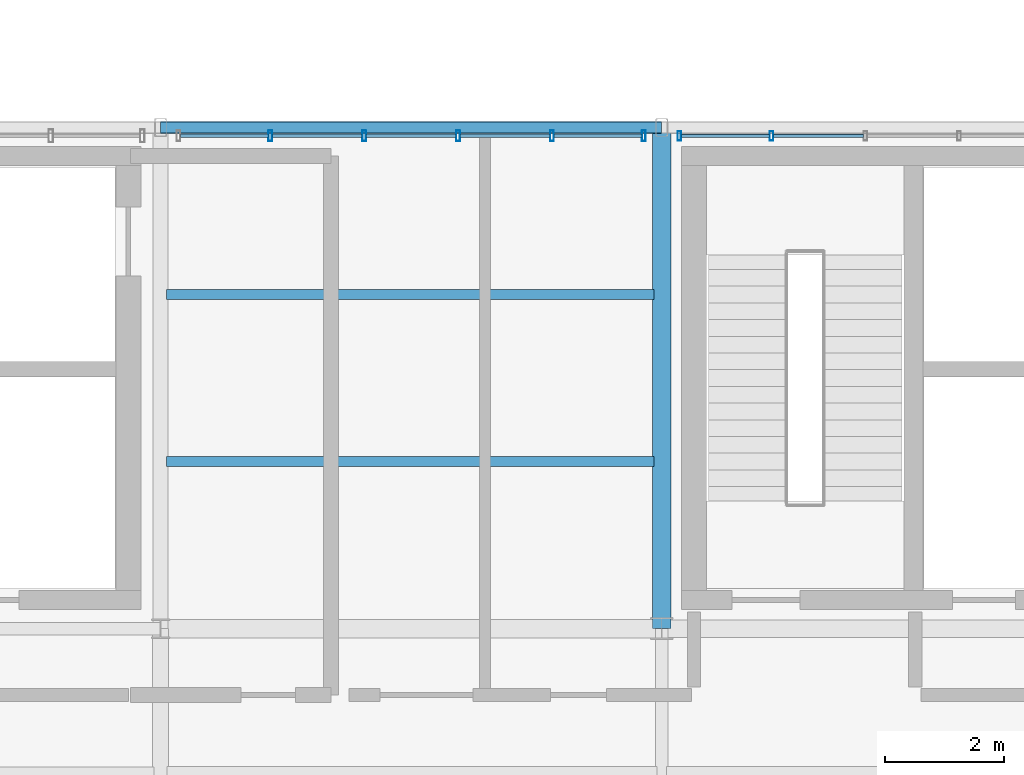
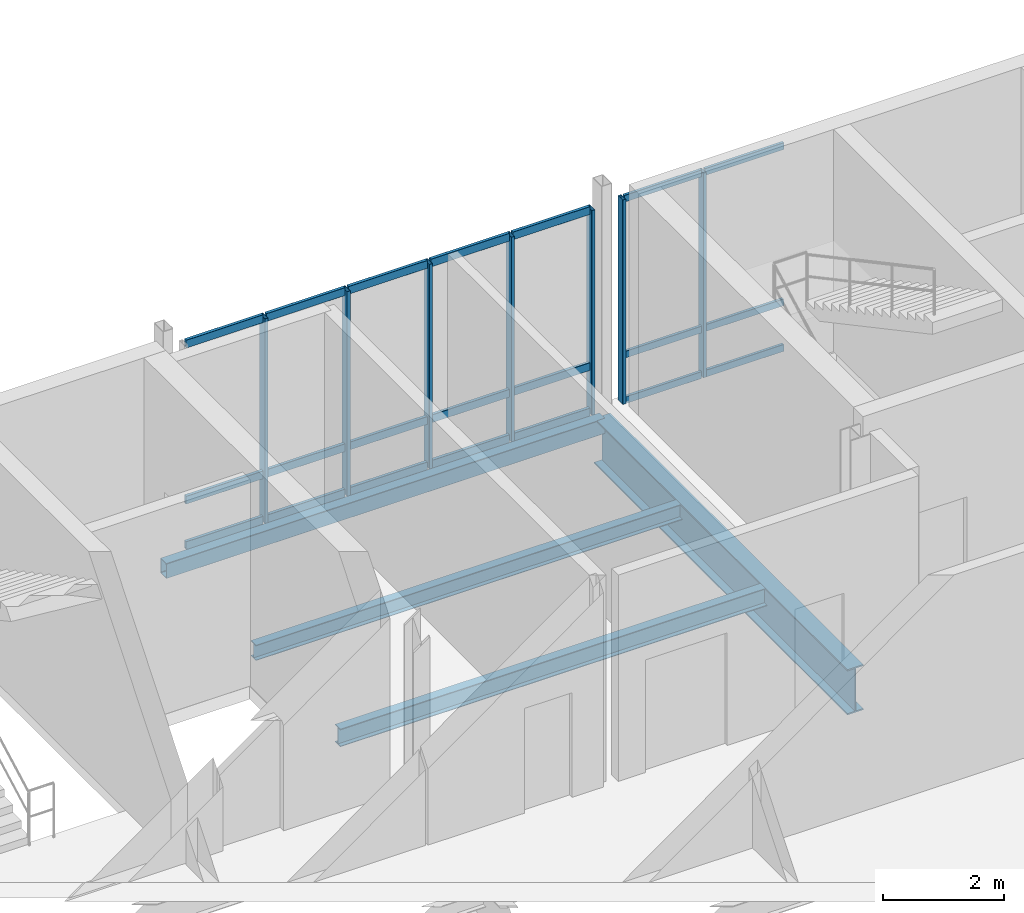
# One storey, part 14 of 68: 28 members, 4 beams, 2 elements without a shape of their own.
"""IFC4 building model written with IfcOpenShell, lengths in metres."""

from ifc_helpers import new_model, si_unit, direction, frame, origin_with_axes, origin_2d_with_axis, place, context, subcontext, project, spatial, hollow_rectangle, i_section, extrude, material, material_profile, profile_set, type_object, element, aggregate, save


model = new_model("IFC4")

# Units and contexts
model_context = context("Model", 3, precision=1e-05, world=origin_with_axes(), true_north=direction((0.0, 1.0)))
body_context = subcontext(model_context, "Body", "Model", "MODEL_VIEW")
ifc_project = project(units=[si_unit("LENGTHUNIT", "METRE"), si_unit("AREAUNIT", "SQUARE_METRE"), si_unit("VOLUMEUNIT", "CUBIC_METRE"), si_unit("PLANEANGLEUNIT", "RADIAN"), si_unit("MASSUNIT", "GRAM", prefix="KILO"), si_unit("THERMODYNAMICTEMPERATUREUNIT", "KELVIN")], contexts=[model_context])

# Site, building, storey
site_placement = place(None, origin_with_axes())
site = spatial("IfcSite", under=ifc_project, at=site_placement, CompositionType="ELEMENT")
building_placement = place(site_placement, origin_with_axes())
building = spatial("IfcBuilding", under=site, at=building_placement, Name="Montbau Bow Law Courts", CompositionType="ELEMENT")
storey_placement = place(building_placement, frame((0.0, 0.0, 20.4), z_axis=(0.0, 0.0, 1.0), x_axis=(1.0, 0.0, 0.0)))
storey = spatial("IfcBuildingStorey", under=building, at=storey_placement, Name="L04", CompositionType="ELEMENT", Elevation=20.4)

# Beams
ifc_material_1 = material(Name="Steel CSA G40.21 Grade 350W (350 MPa)", Category="steel")
ifc_material_profile_1 = material_profile(ifc_material_1, i_section(OverallWidth=0.306, OverallDepth=0.919, WebThickness=0.0173, FlangeThickness=0.0279, at=origin_2d_with_axis()), Name="W920X253", Category="Main", Priority=0)
ifc_profile_set_1 = profile_set([ifc_material_profile_1], Name="Steel CSA G40.21 Grade 350W (350 MPa)")
beam_type_1 = type_object("IfcBeamType", Name="B-FLR-01", PredefinedType="BEAM", material=ifc_profile_set_1)
beam_1_placement = place(None, frame((30.6, 46.2, 19.681), z_axis=(0.0, 1.0, 0.0), x_axis=(-1.0, 0.0, 0.0)))
element("IfcBeam", 1, at=beam_1_placement, inside=storey, type_object=beam_type_1, Name="BM-L04-S0646:bm2_0649", PredefinedType="BEAM", context=body_context, shape_type="SweptSolid", body=[
    extrude(i_section(OverallWidth=0.306, OverallDepth=0.919, WebThickness=0.0173, FlangeThickness=0.0279, at=origin_2d_with_axis()), origin_with_axes(), (0.0, 0.0, 1.0), 8.4),
])
ifc_material_profile_2 = material_profile(ifc_material_1, i_section(OverallWidth=0.172, OverallDepth=0.358, WebThickness=0.0079, FlangeThickness=0.0131, at=origin_2d_with_axis()), Name="W360X57", Category="Main", Priority=0)
ifc_profile_set_2 = profile_set([ifc_material_profile_2], Name="Steel CSA G40.21 Grade 350W (350 MPa)")
beam_type_2 = type_object("IfcBeamType", Name="B-JST-03", PredefinedType="JOIST", material=ifc_profile_set_2)
beam_2_placement = place(None, frame((22.303, 49.0, 19.961), z_axis=(1.0, 0.0, 0.0), x_axis=(0.0, 1.0, 0.0)))
element("IfcBeam", 2, at=beam_2_placement, inside=storey, type_object=beam_type_2, Name="JST-L04-S0310:jst2_0310", PredefinedType="JOIST", context=body_context, shape_type="SweptSolid", body=[
    extrude(i_section(OverallWidth=0.172, OverallDepth=0.358, WebThickness=0.0079, FlangeThickness=0.0131, at=origin_2d_with_axis()), origin_with_axes(), (0.0, 0.0, 1.0), 8.168),
])
ifc_material_profile_3 = material_profile(ifc_material_1, i_section(OverallWidth=0.166, OverallDepth=0.313, WebThickness=0.0066, FlangeThickness=0.0112, at=origin_2d_with_axis()), Name="W310X45", Category="Main", Priority=0)
ifc_profile_set_3 = profile_set([ifc_material_profile_3], Name="Steel CSA G40.21 Grade 350W (350 MPa)")
beam_type_3 = type_object("IfcBeamType", Name="B-JST-04", PredefinedType="JOIST", material=ifc_profile_set_3)
beam_3_placement = place(None, frame((22.303, 51.8, 19.983), z_axis=(1.0, 0.0, 0.0), x_axis=(0.0, 1.0, 0.0)))
element("IfcBeam", 3, at=beam_3_placement, inside=storey, type_object=beam_type_3, Name="JST-L04-S0311:jst2_0311", PredefinedType="JOIST", context=body_context, shape_type="SweptSolid", body=[
    extrude(i_section(OverallWidth=0.166, OverallDepth=0.313, WebThickness=0.0066, FlangeThickness=0.0112, at=origin_2d_with_axis()), origin_with_axes(), (0.0, 0.0, 1.0), 8.168),
])
ifc_material_2 = material(Name="Steel CSA G40.21 Grade 350WT (350 MPa)", Category="steel")
ifc_material_profile_4 = material_profile(ifc_material_2, hollow_rectangle(XDim=0.203, YDim=0.305, WallThickness=0.0127, InnerFilletRadius=0.0254, OuterFilletRadius=0.0127, at=origin_2d_with_axis()), Name="HSS305X203X13", Category="Main", Priority=0)
ifc_profile_set_4 = profile_set([ifc_material_profile_4], Name="Steel CSA G40.21 Grade 350WT (350 MPa)")
beam_type_4 = type_object("IfcBeamType", Name="B-SPN-02", PredefinedType="SPANDREL", material=ifc_profile_set_4)
beam_4_placement = place(None, frame((22.2, 54.6, 19.988), z_axis=(1.0, 0.0, 0.0), x_axis=(0.0, 1.0, 0.0)))
element("IfcBeam", 4, at=beam_4_placement, inside=storey, type_object=beam_type_4, Name="SPN-L04-S0634:bm2_0637", PredefinedType="SPANDREL", context=body_context, shape_type="SweptSolid", body=[
    extrude(hollow_rectangle(XDim=0.203, YDim=0.305, WallThickness=0.0127, InnerFilletRadius=0.0254, OuterFilletRadius=0.0127, at=origin_2d_with_axis()), origin_with_axes(), (0.0, 0.0, 1.0), 8.4),
])

# Curtain wall, members
ifc_material_3 = material(Name="Thermally Broken Extruded Aluminium AA 6063-T6", Category="aluminium")
curtain_wall_type = type_object("IfcCurtainWallType", Name="CW-NCK-01", PredefinedType="NOTDEFINED", material=ifc_material_3)
curtain_wall_1_placement = place(None, frame((22.467, 54.46, 20.4), z_axis=(0.0, 0.0, 1.0), x_axis=(1.0, 0.0, 0.0)))
curtain_wall_1 = element("IfcCurtainWall", 5, at=curtain_wall_1_placement, inside=storey, type_object=curtain_wall_type, Name="CW-L04-070:cw_0070", PredefinedType="NOTDEFINED")
ifc_material_profile_5 = material_profile(ifc_material_3, hollow_rectangle(XDim=0.065, YDim=0.18, WallThickness=0.005, InnerFilletRadius=0.01, OuterFilletRadius=0.005, at=origin_2d_with_axis()), Name="CWM-180X65", Category="Main", Priority=0)
ifc_profile_set_5 = profile_set([ifc_material_profile_5], Name="Thermally Broken Extruded Aluminium AA 6063-T6")
member_type_1 = type_object("IfcMemberType", Name="M-MUL-02", PredefinedType="MULLION", material=ifc_profile_set_5)
member_1_placement = place(None, frame((24.04, 54.46, 20.4), z_axis=(0.0, 0.0, 1.0), x_axis=(1.0, 0.0, 0.0)))
member_1 = element("IfcMember", 6, at=member_1_placement, type_object=member_type_1, Name="CW-L04-070-M02:cw_0070_M02", PredefinedType="MULLION", context=body_context, shape_type="SweptSolid", body=[
    extrude(hollow_rectangle(XDim=0.065, YDim=0.18, WallThickness=0.005, InnerFilletRadius=0.01, OuterFilletRadius=0.005, at=origin_2d_with_axis()), origin_with_axes(), (0.0, 0.0, 1.0), 4.14),
])
member_2_placement = place(None, frame((25.613, 54.46, 20.4), z_axis=(0.0, 0.0, 1.0), x_axis=(1.0, 0.0, 0.0)))
member_2 = element("IfcMember", 7, at=member_2_placement, type_object=member_type_1, Name="CW-L04-070-M03:cw_0070_M03", PredefinedType="MULLION", context=body_context, shape_type="SweptSolid", body=[
    extrude(hollow_rectangle(XDim=0.065, YDim=0.18, WallThickness=0.005, InnerFilletRadius=0.01, OuterFilletRadius=0.005, at=origin_2d_with_axis()), origin_with_axes(), (0.0, 0.0, 1.0), 4.14),
])
member_3_placement = place(None, frame((27.187, 54.46, 20.4), z_axis=(0.0, 0.0, 1.0), x_axis=(1.0, 0.0, 0.0)))
member_3 = element("IfcMember", 8, at=member_3_placement, type_object=member_type_1, Name="CW-L04-070-M04:cw_0070_M04", PredefinedType="MULLION", context=body_context, shape_type="SweptSolid", body=[
    extrude(hollow_rectangle(XDim=0.065, YDim=0.18, WallThickness=0.005, InnerFilletRadius=0.01, OuterFilletRadius=0.005, at=origin_2d_with_axis()), origin_with_axes(), (0.0, 0.0, 1.0), 4.14),
])
member_4_placement = place(None, frame((28.76, 54.46, 20.4), z_axis=(0.0, 0.0, 1.0), x_axis=(1.0, 0.0, 0.0)))
member_4 = element("IfcMember", 9, at=member_4_placement, type_object=member_type_1, Name="CW-L04-070-M05:cw_0070_M05", PredefinedType="MULLION", context=body_context, shape_type="SweptSolid", body=[
    extrude(hollow_rectangle(XDim=0.065, YDim=0.18, WallThickness=0.005, InnerFilletRadius=0.01, OuterFilletRadius=0.005, at=origin_2d_with_axis()), origin_with_axes(), (0.0, 0.0, 1.0), 4.14),
])
member_5_placement = place(None, frame((30.3, 54.46, 20.4), z_axis=(0.0, 0.0, 1.0), x_axis=(1.0, 0.0, 0.0)))
member_5 = element("IfcMember", 10, at=member_5_placement, type_object=member_type_1, Name="CW-L04-070-M06:cw_0070_M06", PredefinedType="MULLION", context=body_context, shape_type="SweptSolid", body=[
    extrude(hollow_rectangle(XDim=0.065, YDim=0.18, WallThickness=0.005, InnerFilletRadius=0.01, OuterFilletRadius=0.005, at=origin_2d_with_axis()), origin_with_axes(), (0.0, 0.0, 1.0), 4.14),
])

curtain_wall_2_placement = place(None, frame((30.867, 54.46, 20.4), z_axis=(0.0, 0.0, 1.0), x_axis=(1.0, 0.0, 0.0)))
curtain_wall_2 = element("IfcCurtainWall", 11, at=curtain_wall_2_placement, inside=storey, type_object=curtain_wall_type, Name="CW-L04-071:cw_0071", PredefinedType="NOTDEFINED")
ifc_material_profile_6 = material_profile(ifc_material_3, hollow_rectangle(XDim=0.06, YDim=0.16, WallThickness=0.004, InnerFilletRadius=0.008, OuterFilletRadius=0.004, at=origin_2d_with_axis()), Name="CWM-160X60", Category="Main", Priority=0)
ifc_profile_set_6 = profile_set([ifc_material_profile_6], Name="Thermally Broken Extruded Aluminium AA 6063-T6")
member_type_2 = type_object("IfcMemberType", Name="M-MUL-03", PredefinedType="MULLION", material=ifc_profile_set_6)
member_6_placement = place(None, frame((30.897, 54.46, 20.4), z_axis=(0.0, 0.0, 1.0), x_axis=(1.0, 0.0, 0.0)))
member_6 = element("IfcMember", 12, at=member_6_placement, type_object=member_type_2, Name="CW-L04-071-M01:cw_0071_M01", PredefinedType="MULLION", context=body_context, shape_type="SweptSolid", body=[
    extrude(hollow_rectangle(XDim=0.06, YDim=0.16, WallThickness=0.004, InnerFilletRadius=0.008, OuterFilletRadius=0.004, at=origin_2d_with_axis()), origin_with_axes(), (0.0, 0.0, 1.0), 4.14),
])
member_7_placement = place(None, frame((32.44, 54.46, 20.4), z_axis=(0.0, 0.0, 1.0), x_axis=(1.0, 0.0, 0.0)))
member_7 = element("IfcMember", 13, at=member_7_placement, type_object=member_type_2, Name="CW-L04-071-M02:cw_0071_M02", PredefinedType="MULLION", context=body_context, shape_type="SweptSolid", body=[
    extrude(hollow_rectangle(XDim=0.06, YDim=0.16, WallThickness=0.004, InnerFilletRadius=0.008, OuterFilletRadius=0.004, at=origin_2d_with_axis()), origin_with_axes(), (0.0, 0.0, 1.0), 4.14),
])

# Member
ifc_material_profile_7 = material_profile(ifc_material_3, hollow_rectangle(XDim=0.06, YDim=0.16, WallThickness=0.004, InnerFilletRadius=0.008, OuterFilletRadius=0.004, at=origin_2d_with_axis()), Name="CWT-160X60", Category="Main", Priority=0)
ifc_profile_set_7 = profile_set([ifc_material_profile_7], Name="Thermally Broken Extruded Aluminium AA 6063-T6")
member_type_3 = type_object("IfcMemberType", Name="M-TRN-01", PredefinedType="USERDEFINED", material=ifc_profile_set_7)
member_8_placement = place(None, frame((22.535, 54.46, 20.43), z_axis=(1.0, 0.0, 0.0), x_axis=(0.0, 1.0, 0.0)))
member_8 = element("IfcMember", 14, at=member_8_placement, type_object=member_type_3, Name="CW-L04-070-T01-1:cw_0070_T01_1", ObjectType="TRANSOM", PredefinedType="USERDEFINED", context=body_context, shape_type="SweptSolid", body=[
    extrude(hollow_rectangle(XDim=0.06, YDim=0.16, WallThickness=0.004, InnerFilletRadius=0.008, OuterFilletRadius=0.004, at=origin_2d_with_axis()), origin_with_axes(), (0.0, 0.0, 1.0), 1.47),
])

member_9_placement = place(None, frame((22.535, 54.46, 21.35), z_axis=(1.0, 0.0, 0.0), x_axis=(0.0, 1.0, 0.0)))
member_9 = element("IfcMember", 15, at=member_9_placement, type_object=member_type_3, Name="CW-L04-070-T01-2:cw_0070_T01_2", ObjectType="TRANSOM", PredefinedType="USERDEFINED", context=body_context, shape_type="SweptSolid", body=[
    extrude(hollow_rectangle(XDim=0.06, YDim=0.16, WallThickness=0.004, InnerFilletRadius=0.008, OuterFilletRadius=0.004, at=origin_2d_with_axis()), origin_with_axes(), (0.0, 0.0, 1.0), 1.47),
])

member_10_placement = place(None, frame((22.535, 54.46, 24.51), z_axis=(1.0, 0.0, 0.0), x_axis=(0.0, 1.0, 0.0)))
member_10 = element("IfcMember", 16, at=member_10_placement, type_object=member_type_3, Name="CW-L04-070-T01-3:cw_0070_T01_3", ObjectType="TRANSOM", PredefinedType="USERDEFINED", context=body_context, shape_type="SweptSolid", body=[
    extrude(hollow_rectangle(XDim=0.06, YDim=0.16, WallThickness=0.004, InnerFilletRadius=0.008, OuterFilletRadius=0.004, at=origin_2d_with_axis()), origin_with_axes(), (0.0, 0.0, 1.0), 1.47),
])

member_11_placement = place(None, frame((24.074, 54.46, 20.43), z_axis=(1.0, 0.0, 0.0), x_axis=(0.0, 1.0, 0.0)))
member_11 = element("IfcMember", 17, at=member_11_placement, type_object=member_type_3, Name="CW-L04-070-T02-1:cw_0070_T02_1", ObjectType="TRANSOM", PredefinedType="USERDEFINED", context=body_context, shape_type="SweptSolid", body=[
    extrude(hollow_rectangle(XDim=0.06, YDim=0.16, WallThickness=0.004, InnerFilletRadius=0.008, OuterFilletRadius=0.004, at=origin_2d_with_axis()), origin_with_axes(), (0.0, 0.0, 1.0), 1.504),
])

member_12_placement = place(None, frame((24.074, 54.46, 21.35), z_axis=(1.0, 0.0, 0.0), x_axis=(0.0, 1.0, 0.0)))
member_12 = element("IfcMember", 18, at=member_12_placement, type_object=member_type_3, Name="CW-L04-070-T02-2:cw_0070_T02_2", ObjectType="TRANSOM", PredefinedType="USERDEFINED", context=body_context, shape_type="SweptSolid", body=[
    extrude(hollow_rectangle(XDim=0.06, YDim=0.16, WallThickness=0.004, InnerFilletRadius=0.008, OuterFilletRadius=0.004, at=origin_2d_with_axis()), origin_with_axes(), (0.0, 0.0, 1.0), 1.504),
])

member_13_placement = place(None, frame((24.074, 54.46, 24.51), z_axis=(1.0, 0.0, 0.0), x_axis=(0.0, 1.0, 0.0)))
member_13 = element("IfcMember", 19, at=member_13_placement, type_object=member_type_3, Name="CW-L04-070-T02-3:cw_0070_T02_3", ObjectType="TRANSOM", PredefinedType="USERDEFINED", context=body_context, shape_type="SweptSolid", body=[
    extrude(hollow_rectangle(XDim=0.06, YDim=0.16, WallThickness=0.004, InnerFilletRadius=0.008, OuterFilletRadius=0.004, at=origin_2d_with_axis()), origin_with_axes(), (0.0, 0.0, 1.0), 1.504),
])

member_14_placement = place(None, frame((25.647, 54.46, 20.43), z_axis=(1.0, 0.0, 0.0), x_axis=(0.0, 1.0, 0.0)))
member_14 = element("IfcMember", 20, at=member_14_placement, type_object=member_type_3, Name="CW-L04-070-T03-1:cw_0070_T03_1", ObjectType="TRANSOM", PredefinedType="USERDEFINED", context=body_context, shape_type="SweptSolid", body=[
    extrude(hollow_rectangle(XDim=0.06, YDim=0.16, WallThickness=0.004, InnerFilletRadius=0.008, OuterFilletRadius=0.004, at=origin_2d_with_axis()), origin_with_axes(), (0.0, 0.0, 1.0), 1.506),
])

member_15_placement = place(None, frame((25.647, 54.46, 21.35), z_axis=(1.0, 0.0, 0.0), x_axis=(0.0, 1.0, 0.0)))
member_15 = element("IfcMember", 21, at=member_15_placement, type_object=member_type_3, Name="CW-L04-070-T03-2:cw_0070_T03_2", ObjectType="TRANSOM", PredefinedType="USERDEFINED", context=body_context, shape_type="SweptSolid", body=[
    extrude(hollow_rectangle(XDim=0.06, YDim=0.16, WallThickness=0.004, InnerFilletRadius=0.008, OuterFilletRadius=0.004, at=origin_2d_with_axis()), origin_with_axes(), (0.0, 0.0, 1.0), 1.506),
])

member_16_placement = place(None, frame((25.647, 54.46, 24.51), z_axis=(1.0, 0.0, 0.0), x_axis=(0.0, 1.0, 0.0)))
member_16 = element("IfcMember", 22, at=member_16_placement, type_object=member_type_3, Name="CW-L04-070-T03-3:cw_0070_T03_3", ObjectType="TRANSOM", PredefinedType="USERDEFINED", context=body_context, shape_type="SweptSolid", body=[
    extrude(hollow_rectangle(XDim=0.06, YDim=0.16, WallThickness=0.004, InnerFilletRadius=0.008, OuterFilletRadius=0.004, at=origin_2d_with_axis()), origin_with_axes(), (0.0, 0.0, 1.0), 1.506),
])

member_17_placement = place(None, frame((27.221, 54.46, 20.43), z_axis=(1.0, 0.0, 0.0), x_axis=(0.0, 1.0, 0.0)))
member_17 = element("IfcMember", 23, at=member_17_placement, type_object=member_type_3, Name="CW-L04-070-T04-1:cw_0070_T04_1", ObjectType="TRANSOM", PredefinedType="USERDEFINED", context=body_context, shape_type="SweptSolid", body=[
    extrude(hollow_rectangle(XDim=0.06, YDim=0.16, WallThickness=0.004, InnerFilletRadius=0.008, OuterFilletRadius=0.004, at=origin_2d_with_axis()), origin_with_axes(), (0.0, 0.0, 1.0), 1.505),
])

member_18_placement = place(None, frame((27.221, 54.46, 21.35), z_axis=(1.0, 0.0, 0.0), x_axis=(0.0, 1.0, 0.0)))
member_18 = element("IfcMember", 24, at=member_18_placement, type_object=member_type_3, Name="CW-L04-070-T04-2:cw_0070_T04_2", ObjectType="TRANSOM", PredefinedType="USERDEFINED", context=body_context, shape_type="SweptSolid", body=[
    extrude(hollow_rectangle(XDim=0.06, YDim=0.16, WallThickness=0.004, InnerFilletRadius=0.008, OuterFilletRadius=0.004, at=origin_2d_with_axis()), origin_with_axes(), (0.0, 0.0, 1.0), 1.505),
])

member_19_placement = place(None, frame((27.221, 54.46, 24.51), z_axis=(1.0, 0.0, 0.0), x_axis=(0.0, 1.0, 0.0)))
member_19 = element("IfcMember", 25, at=member_19_placement, type_object=member_type_3, Name="CW-L04-070-T04-3:cw_0070_T04_3", ObjectType="TRANSOM", PredefinedType="USERDEFINED", context=body_context, shape_type="SweptSolid", body=[
    extrude(hollow_rectangle(XDim=0.06, YDim=0.16, WallThickness=0.004, InnerFilletRadius=0.008, OuterFilletRadius=0.004, at=origin_2d_with_axis()), origin_with_axes(), (0.0, 0.0, 1.0), 1.505),
])

member_20_placement = place(None, frame((28.794, 54.46, 20.43), z_axis=(1.0, 0.0, 0.0), x_axis=(0.0, 1.0, 0.0)))
member_20 = element("IfcMember", 26, at=member_20_placement, type_object=member_type_3, Name="CW-L04-070-T05-1:cw_0070_T05_1", ObjectType="TRANSOM", PredefinedType="USERDEFINED", context=body_context, shape_type="SweptSolid", body=[
    extrude(hollow_rectangle(XDim=0.06, YDim=0.16, WallThickness=0.004, InnerFilletRadius=0.008, OuterFilletRadius=0.004, at=origin_2d_with_axis()), origin_with_axes(), (0.0, 0.0, 1.0), 1.472),
])

member_21_placement = place(None, frame((28.794, 54.46, 21.35), z_axis=(1.0, 0.0, 0.0), x_axis=(0.0, 1.0, 0.0)))
member_21 = element("IfcMember", 27, at=member_21_placement, type_object=member_type_3, Name="CW-L04-070-T05-2:cw_0070_T05_2", ObjectType="TRANSOM", PredefinedType="USERDEFINED", context=body_context, shape_type="SweptSolid", body=[
    extrude(hollow_rectangle(XDim=0.06, YDim=0.16, WallThickness=0.004, InnerFilletRadius=0.008, OuterFilletRadius=0.004, at=origin_2d_with_axis()), origin_with_axes(), (0.0, 0.0, 1.0), 1.472),
])

member_22_placement = place(None, frame((28.794, 54.46, 24.51), z_axis=(1.0, 0.0, 0.0), x_axis=(0.0, 1.0, 0.0)))
member_22 = element("IfcMember", 28, at=member_22_placement, type_object=member_type_3, Name="CW-L04-070-T05-3:cw_0070_T05_3", ObjectType="TRANSOM", PredefinedType="USERDEFINED", context=body_context, shape_type="SweptSolid", body=[
    extrude(hollow_rectangle(XDim=0.06, YDim=0.16, WallThickness=0.004, InnerFilletRadius=0.008, OuterFilletRadius=0.004, at=origin_2d_with_axis()), origin_with_axes(), (0.0, 0.0, 1.0), 1.472),
])

aggregate(curtain_wall_1, [member_1, member_2, member_3, member_4, member_5, member_8, member_9, member_10, member_11, member_12, member_13, member_14, member_15, member_16, member_17, member_18, member_19, member_20, member_21, member_22])

ifc_material_profile_8 = material_profile(ifc_material_3, hollow_rectangle(XDim=0.055, YDim=0.14, WallThickness=0.004, InnerFilletRadius=0.008, OuterFilletRadius=0.004, at=origin_2d_with_axis()), Name="CWT-140X55", Category="Main", Priority=0)
ifc_profile_set_8 = profile_set([ifc_material_profile_8], Name="Thermally Broken Extruded Aluminium AA 6063-T6")
member_type_4 = type_object("IfcMemberType", Name="M-TRN-02", PredefinedType="USERDEFINED", material=ifc_profile_set_8)
member_23_placement = place(None, frame((30.929, 54.46, 20.427), z_axis=(1.0, 0.0, 0.0), x_axis=(0.0, 1.0, 0.0)))
member_23 = element("IfcMember", 29, at=member_23_placement, type_object=member_type_4, Name="CW-L04-071-T01-1:cw_0071_T01_1", ObjectType="TRANSOM", PredefinedType="USERDEFINED", context=body_context, shape_type="SweptSolid", body=[
    extrude(hollow_rectangle(XDim=0.055, YDim=0.14, WallThickness=0.004, InnerFilletRadius=0.008, OuterFilletRadius=0.004, at=origin_2d_with_axis()), origin_with_axes(), (0.0, 0.0, 1.0), 1.479),
])

member_24_placement = place(None, frame((30.929, 54.46, 21.35), z_axis=(1.0, 0.0, 0.0), x_axis=(0.0, 1.0, 0.0)))
member_24 = element("IfcMember", 30, at=member_24_placement, type_object=member_type_4, Name="CW-L04-071-T01-2:cw_0071_T01_2", ObjectType="TRANSOM", PredefinedType="USERDEFINED", context=body_context, shape_type="SweptSolid", body=[
    extrude(hollow_rectangle(XDim=0.055, YDim=0.14, WallThickness=0.004, InnerFilletRadius=0.008, OuterFilletRadius=0.004, at=origin_2d_with_axis()), origin_with_axes(), (0.0, 0.0, 1.0), 1.479),
])

member_25_placement = place(None, frame((30.929, 54.46, 24.512), z_axis=(1.0, 0.0, 0.0), x_axis=(0.0, 1.0, 0.0)))
member_25 = element("IfcMember", 31, at=member_25_placement, type_object=member_type_4, Name="CW-L04-071-T01-3:cw_0071_T01_3", ObjectType="TRANSOM", PredefinedType="USERDEFINED", context=body_context, shape_type="SweptSolid", body=[
    extrude(hollow_rectangle(XDim=0.055, YDim=0.14, WallThickness=0.004, InnerFilletRadius=0.008, OuterFilletRadius=0.004, at=origin_2d_with_axis()), origin_with_axes(), (0.0, 0.0, 1.0), 1.479),
])

member_26_placement = place(None, frame((32.472, 54.46, 20.427), z_axis=(1.0, 0.0, 0.0), x_axis=(0.0, 1.0, 0.0)))
member_26 = element("IfcMember", 32, at=member_26_placement, type_object=member_type_4, Name="CW-L04-071-T02-1:cw_0071_T02_1", ObjectType="TRANSOM", PredefinedType="USERDEFINED", context=body_context, shape_type="SweptSolid", body=[
    extrude(hollow_rectangle(XDim=0.055, YDim=0.14, WallThickness=0.004, InnerFilletRadius=0.008, OuterFilletRadius=0.004, at=origin_2d_with_axis()), origin_with_axes(), (0.0, 0.0, 1.0), 1.509),
])

member_27_placement = place(None, frame((32.472, 54.46, 21.35), z_axis=(1.0, 0.0, 0.0), x_axis=(0.0, 1.0, 0.0)))
member_27 = element("IfcMember", 33, at=member_27_placement, type_object=member_type_4, Name="CW-L04-071-T02-2:cw_0071_T02_2", ObjectType="TRANSOM", PredefinedType="USERDEFINED", context=body_context, shape_type="SweptSolid", body=[
    extrude(hollow_rectangle(XDim=0.055, YDim=0.14, WallThickness=0.004, InnerFilletRadius=0.008, OuterFilletRadius=0.004, at=origin_2d_with_axis()), origin_with_axes(), (0.0, 0.0, 1.0), 1.509),
])

member_28_placement = place(None, frame((32.472, 54.46, 24.512), z_axis=(1.0, 0.0, 0.0), x_axis=(0.0, 1.0, 0.0)))
member_28 = element("IfcMember", 34, at=member_28_placement, type_object=member_type_4, Name="CW-L04-071-T02-3:cw_0071_T02_3", ObjectType="TRANSOM", PredefinedType="USERDEFINED", context=body_context, shape_type="SweptSolid", body=[
    extrude(hollow_rectangle(XDim=0.055, YDim=0.14, WallThickness=0.004, InnerFilletRadius=0.008, OuterFilletRadius=0.004, at=origin_2d_with_axis()), origin_with_axes(), (0.0, 0.0, 1.0), 1.509),
])

aggregate(curtain_wall_2, [member_6, member_7, member_23, member_24, member_25, member_26, member_27, member_28])

save(model, "model.ifc")
